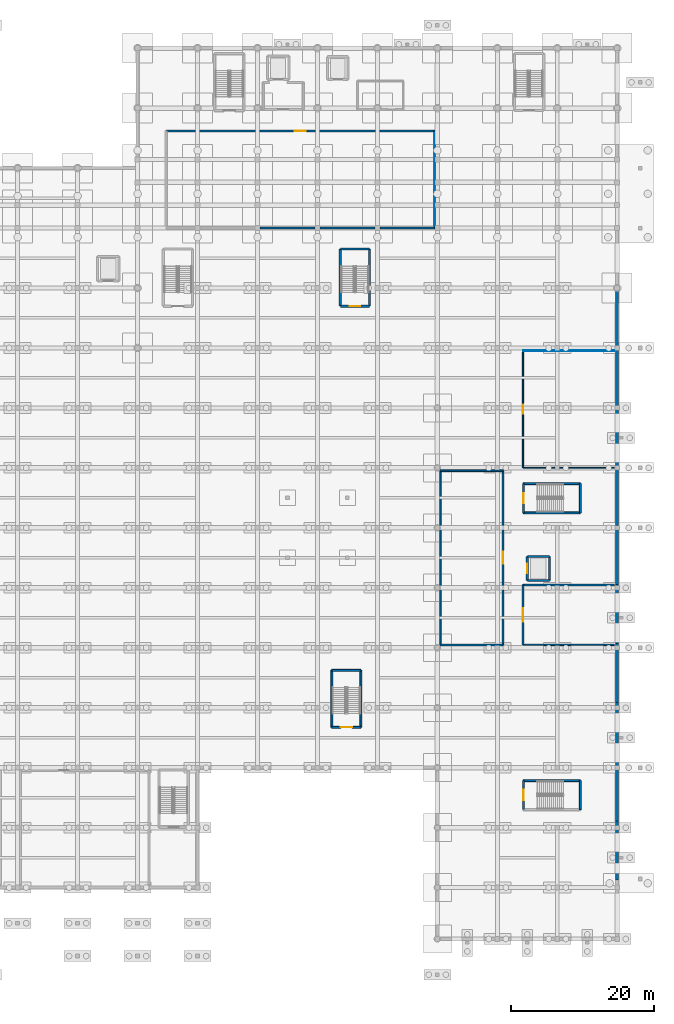
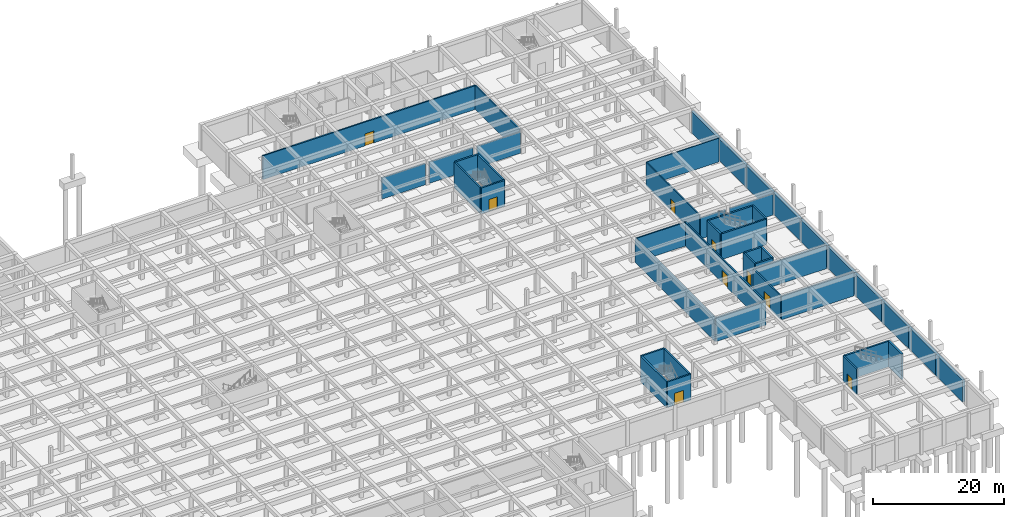
# One storey, part 29 of 51: 45 walls, 9 doors, 9 openings.
"""IFC4 building model written with IfcOpenShell, lengths in metres."""

from ifc_helpers import new_model, si_unit, direction, frame, frame_2d, origin, place, context, subcontext, project, spatial, rectangle, extrude, material, layer, layer_set, type_object, element, fill, save


model = new_model("IFC4")

# Units and contexts
model_context = context("Model", 3, precision=1e-05, world=origin(), true_north=direction((0.0, 1.0)))
body_context = subcontext(model_context, "Body", "Model", "MODEL_VIEW")
ifc_project = project(units=[si_unit("LENGTHUNIT", "METRE"), si_unit("AREAUNIT", "SQUARE_METRE"), si_unit("VOLUMEUNIT", "CUBIC_METRE"), si_unit("PLANEANGLEUNIT", "RADIAN"), si_unit("MASSUNIT", "GRAM", prefix="KILO")], contexts=[model_context])

# Site, building, storey
site_placement = place(None, origin())
site = spatial("IfcSite", under=ifc_project, at=site_placement, CompositionType="ELEMENT")
building_placement = place(site_placement, origin())
building = spatial("IfcBuilding", under=site, at=building_placement, Name="Varncliffe General Hospital", CompositionType="ELEMENT")
storey_placement = place(building_placement, frame((0.0, 0.0, -4.800048828125)))
storey = spatial("IfcBuildingStorey", under=building, at=storey_placement, Name="B1", CompositionType="ELEMENT", Elevation=-4.800048828125)

# Walls
ifc_material_1 = material(Name="Concrete C40/50 (CSA A23.1 40 MPa)", Category="concrete")
ifc_layer_1 = layer(ifc_material_1, 0.419921875)
ifc_layer_set_1 = layer_set([ifc_layer_1], Name="Concrete C40/50 (CSA A23.1 40 MPa)")
wall_type_1 = type_object("IfcWallType", Name="Exterior Insulated Stucco Wall EW28 (420mm)", PredefinedType="SOLIDWALL", material=ifc_layer_set_1)
wall_1_placement = place(storey_placement, frame((176.39990234375, 91.199951171875, 0.0), z_axis=(0.0, 0.0, 1.0), x_axis=(0.0, -1.0, 0.0)))
element("IfcWall", 1, at=wall_1_placement, inside=storey, type_object=wall_type_1, Name="B1 Perimeter Retaining Wall 40", PredefinedType="SOLIDWALL", context=body_context, shape_type="SweptSolid", body=[
    extrude(rectangle(XDim=8.39990234375, YDim=0.419921875, at=frame_2d((4.199951171875, 0.0))), origin(), (0.0, 0.0, 1.0), 4.050048828125),
])
for number, where, z_axis, x_axis, name in (
    (2, (176.39990234375, 82.800048828125, 0.0), (0.0, 0.0, 1.0), (0.0, -1.0, 0.0), "B1 Perimeter Retaining Wall 41"),
    (3, (176.39990234375, 74.52001953125, 0.0), (0.0, 0.0, 1.0), (0.0, -1.0, 0.0), "B1 Perimeter Retaining Wall 42"),
    (4, (176.39990234375, 66.239990234375, 0.0), (0.0, 0.0, 1.0), (0.0, -1.0, 0.0), "B1 Perimeter Retaining Wall 43"),
    (5, (176.39990234375, 57.9599609375, 0.0), (0.0, 0.0, 1.0), (0.0, -1.0, 0.0), "B1 Perimeter Retaining Wall 44"),
    (6, (176.39990234375, 49.679931640625, 0.0), (0.0, 0.0, 1.0), (0.0, -1.0, 0.0), "B1 Perimeter Retaining Wall 45"),
):
    element("IfcWall", number, at=place(storey_placement, frame(where, z_axis=z_axis, x_axis=x_axis)), inside=storey, type_object=wall_type_1, Name=name, PredefinedType="SOLIDWALL", context=body_context, shape_type="SweptSolid", body=[
        extrude(rectangle(XDim=8.280029296875, YDim=0.419921875, at=frame_2d((4.14013671875, 0.0))), origin(), (0.0, 0.0, 1.0), 4.050048828125),
    ])
wall_2_placement = place(storey_placement, frame((176.39990234375, 41.39990234375, 0.0), z_axis=(0.0, 0.0, 1.0), x_axis=(0.0, -1.0, 0.0)))
element("IfcWall", 7, at=wall_2_placement, inside=storey, type_object=wall_type_1, Name="B1 Perimeter Retaining Wall 46", PredefinedType="SOLIDWALL", context=body_context, shape_type="SweptSolid", body=[
    extrude(rectangle(XDim=8.27978515625, YDim=0.419921875, at=frame_2d((4.139892578125, 0.0))), origin(), (0.0, 0.0, 1.0), 4.050048828125),
])
for number, where, z_axis, x_axis, name in (
    (8, (176.39990234375, 33.1201171875, 0.0), (0.0, 0.0, 1.0), (0.0, -1.0, 0.0), "B1 Perimeter Retaining Wall 47"),
    (9, (176.39990234375, 24.840087890625, 0.0), (0.0, 0.0, 1.0), (0.0, -1.0, 0.0), "B1 Perimeter Retaining Wall 48"),
    (10, (176.39990234375, 16.56005859375, 0.0), (0.0, 0.0, 1.0), (0.0, -1.0, 0.0), "B1 Perimeter Retaining Wall 49"),
):
    element("IfcWall", number, at=place(storey_placement, frame(where, z_axis=z_axis, x_axis=x_axis)), inside=storey, type_object=wall_type_1, Name=name, PredefinedType="SOLIDWALL", context=body_context, shape_type="SweptSolid", body=[
        extrude(rectangle(XDim=8.280029296875, YDim=0.419921875, at=frame_2d((4.14013671875, 0.0))), origin(), (0.0, 0.0, 1.0), 4.050048828125),
    ])
ifc_material_2 = material(Name="Acoustic clinical gypsum stud partition assembly", Category="gypsum")
ifc_layer_2 = layer(ifc_material_2, 0.1298828125)
ifc_layer_set_2 = layer_set([ifc_layer_2], Name="Acoustic clinical gypsum stud partition assembly")
wall_type_2 = type_object("IfcWallType", Name="Interior Partitioning IW11 (130mm)", PredefinedType="PARTITIONING", material=ifc_layer_set_2)
wall_3_placement = place(storey_placement, frame((163.199951171875, 82.39990234375, 0.0), z_axis=(0.0, 0.0, 1.0), x_axis=(1.0, 0.0, 0.0)))
element("IfcWall", 11, at=wall_3_placement, inside=storey, type_object=wall_type_2, Name="B1 Interior Partition Wall IW11-13", PredefinedType="PARTITIONING", context=body_context, shape_type="SweptSolid", body=[
    extrude(rectangle(XDim=12.800048828125, YDim=0.1298828125, at=frame_2d((6.39990234375, 0.0))), origin(), (0.0, 0.0, 1.0), 4.43994140625),
])
ifc_layer_3 = layer(ifc_material_2, 0.14990234375)
ifc_layer_set_3 = layer_set([ifc_layer_3], Name="Acoustic clinical gypsum stud partition assembly")
wall_type_3 = type_object("IfcWallType", Name="Interior Partitioning IW35 (150mm)", PredefinedType="PARTITIONING", material=ifc_layer_set_3)
wall_4_placement = place(storey_placement, frame((168.340087890625, 66.0, 0.0), z_axis=(0.0, 0.0, 1.0), x_axis=(1.0, 0.0, 0.0)))
element("IfcWall", 12, at=wall_4_placement, inside=storey, type_object=wall_type_3, Name="B1 Interior Partition Wall IW35-9", PredefinedType="PARTITIONING", context=body_context, shape_type="SweptSolid", body=[
    extrude(rectangle(XDim=7.659912109375, YDim=0.14990234375, at=frame_2d((3.830078125, 0.0))), origin(), (0.0, 0.0, 1.0), 3.985107421875),
])
wall_5_placement = place(storey_placement, frame((163.199951171875, 66.0, 0.0), z_axis=(0.0, 0.0, 1.0), x_axis=(1.0, 0.0, 0.0)))
element("IfcWall", 13, at=wall_5_placement, inside=storey, type_object=wall_type_3, Name="B1 Interior Partition Wall IW35-10", PredefinedType="PARTITIONING", context=body_context, shape_type="SweptSolid", body=[
    extrude(rectangle(XDim=4.4599609375, YDim=0.14990234375, at=frame_2d((2.22998046875, 0.0))), origin(), (0.0, 0.0, 1.0), 3.985107421875),
])
ifc_material_3 = material(Name="Fire-rated gypsum and mineral-wool partition assembly", Category="gypsum")
ifc_layer_4 = layer(ifc_material_3, 0.25)
ifc_layer_set_4 = layer_set([ifc_layer_4], Name="Fire-rated gypsum and mineral-wool partition assembly")
wall_type_4 = type_object("IfcWallType", Name="Interior Partitioning PW38 (250mm)", PredefinedType="PARTITIONING", material=ifc_layer_set_4)
wall_6_placement = place(storey_placement, frame((151.60009765625, 41.199951171875, 0.0), z_axis=(0.0, 0.0, 1.0), x_axis=(1.0, 0.0, 0.0)))
element("IfcWall", 14, at=wall_6_placement, inside=storey, type_object=wall_type_4, Name="B1 Interior Partition Wall PW38-5", PredefinedType="PARTITIONING", context=body_context, shape_type="SweptSolid", body=[
    extrude(rectangle(XDim=8.7998046875, YDim=0.25, at=frame_2d((4.39990234375, 0.0))), origin(), (0.0, 0.0, 1.0), 4.43994140625),
])
wall_7_placement = place(storey_placement, frame((163.199951171875, 49.60009765625, 0.0), z_axis=(0.0, 0.0, 1.0), x_axis=(1.0, 0.0, 0.0)))
element("IfcWall", 15, at=wall_7_placement, inside=storey, type_object=wall_type_4, Name="B1 Interior Partition Wall PW38-7", PredefinedType="PARTITIONING", context=body_context, shape_type="SweptSolid", body=[
    extrude(rectangle(XDim=12.800048828125, YDim=0.25, at=frame_2d((6.39990234375, 0.0))), origin(), (0.0, 0.0, 1.0), 4.43994140625),
])

# Wall, opening, door
wall_8_placement = place(storey_placement, frame((113.199951171875, 113.199951171875, 0.0), z_axis=(0.0, 0.0, 1.0), x_axis=(1.0, 0.0, 0.0)))
wall_8 = element("IfcWall", 16, at=wall_8_placement, inside=storey, type_object=wall_type_4, Name="B1 Interior Partition Wall PW38-29", PredefinedType="PARTITIONING", context=body_context, shape_type="SweptSolid", body=[
    extrude(rectangle(XDim=37.60009765625, YDim=0.25, at=frame_2d((18.800048828125, 0.0))), origin(), (0.0, 0.0, 1.0), 4.43994140625),
])
opening_1_placement = place(wall_8_placement, frame((18.02490234375, 0.0, 0.0)))
opening_1 = element("IfcOpeningElement", 17, at=opening_1_placement, cuts=wall_8, Name="Opening DC67", PredefinedType="OPENING", context=body_context, shape_type="SweptSolid", body=[
    extrude(rectangle(XDim=1.550048828125, YDim=2.25, at=frame_2d((0.77490234375, 1.125))), frame((0.0, 0.135009765625, 0.0), z_axis=(0.0, -1.0, 0.0), x_axis=(1.0, 0.0, 0.0)), (0.0, 0.0, 1.0), 0.27001953125),
])
ifc_material_4 = material(Name="Fire-rated hospital steel-frame vision-panel door", Category="steel")
door_type_1 = type_object("IfcDoorType", Name="Interior Hospital Door DC67 (1550x2250)", OperationType="NOTDEFINED", PredefinedType="DOOR", material=ifc_material_4)
door_1_placement = place(opening_1_placement, frame((1.550048828125, 0.0, 0.0), z_axis=(0.0, 0.0, 1.0), x_axis=(-1.0, 0.0, 0.0)))
door_1 = element("IfcDoor", 18, at=door_1_placement, inside=storey, type_object=door_type_1, Name="B1 Ward Soiled Utility and Sterile Store East Door", OperationType="SINGLE_SWING_RIGHT", OverallHeight=2.25, OverallWidth=1.550048828125, PredefinedType="DOOR", context=body_context, shape_type="SweptSolid", body=[
    extrude(rectangle(XDim=1.550048828125, YDim=2.25, at=frame_2d((0.77490234375, 1.125))), frame((0.0, 0.02490234375, 0.0), z_axis=(0.0, -1.0, 0.0), x_axis=(1.0, 0.0, 0.0)), (0.0, 0.0, 1.0), 0.050048828125),
])
fill(opening_1, door_1)

# Wall
wall_9_placement = place(storey_placement, frame((151.60009765625, 41.199951171875, 0.0), z_axis=(0.0, 0.0, 1.0), x_axis=(0.0, 1.0, 0.0)))
element("IfcWall", 19, at=wall_9_placement, inside=storey, type_object=wall_type_4, Name="B1 Interior Partition Wall PW38-65", PredefinedType="PARTITIONING", context=body_context, shape_type="SweptSolid", body=[
    extrude(rectangle(XDim=24.400146484375, YDim=0.25, at=frame_2d((12.2001953125, 0.0))), origin(), (0.0, 0.0, 1.0), 4.43994140625),
])

# Wall, opening, door
wall_10_placement = place(storey_placement, frame((163.199951171875, 41.199951171875, 0.0), z_axis=(0.0, 0.0, 1.0), x_axis=(0.0, 1.0, 0.0)))
wall_10 = element("IfcWall", 20, at=wall_10_placement, inside=storey, type_object=wall_type_4, Name="B1 Interior Partition Wall PW38-67", PredefinedType="PARTITIONING", context=body_context, shape_type="SweptSolid", body=[
    extrude(rectangle(XDim=8.400146484375, YDim=0.25, at=frame_2d((4.2001953125, 0.0))), origin(), (0.0, 0.0, 1.0), 4.43994140625),
])
opening_2_placement = place(wall_10_placement, frame((3.27490234375, 0.0, 0.0)))
opening_2 = element("IfcOpeningElement", 21, at=opening_2_placement, cuts=wall_10, Name="Opening DC38", PredefinedType="OPENING", context=body_context, shape_type="SweptSolid", body=[
    extrude(rectangle(XDim=1.85009765625, YDim=2.300048828125, at=frame_2d((0.925048828125, 1.14990234375))), frame((0.0, 0.135009765625, 0.0), z_axis=(0.0, -1.0, 0.0), x_axis=(1.0, 0.0, 0.0)), (0.0, 0.0, 1.0), 0.27001953125),
])
door_type_2 = type_object("IfcDoorType", Name="Interior Hospital Door DC38 (1850x2300)", OperationType="NOTDEFINED", PredefinedType="DOOR", material=ifc_material_4)
door_2_placement = place(opening_2_placement, frame((1.85009765625, 0.0, 0.0), z_axis=(0.0, 0.0, 1.0), x_axis=(-1.0, 0.0, 0.0)))
door_2 = element("IfcDoor", 22, at=door_2_placement, inside=storey, type_object=door_type_2, Name="B1 Outpatient Electrical Substation Door", OperationType="SINGLE_SWING_LEFT", OverallHeight=2.300048828125, OverallWidth=1.85009765625, PredefinedType="DOOR", context=body_context, shape_type="SweptSolid", body=[
    extrude(rectangle(XDim=1.85009765625, YDim=2.300048828125, at=frame_2d((0.925048828125, 1.14990234375))), frame((0.0, 0.02490234375, 0.0), z_axis=(0.0, -1.0, 0.0), x_axis=(1.0, 0.0, 0.0)), (0.0, 0.0, 1.0), 0.050048828125),
])
fill(opening_2, door_2)

# Walls
ifc_layer_5 = layer(ifc_material_3, 0.22998046875)
ifc_layer_set_5 = layer_set([ifc_layer_5], Name="Fire-rated gypsum and mineral-wool partition assembly")
wall_type_5 = type_object("IfcWallType", Name="Interior Partitioning PW48 (230mm)", PredefinedType="PARTITIONING", material=ifc_layer_set_5)
wall_11_placement = place(storey_placement, frame((163.199951171875, 41.199951171875, 0.0), z_axis=(0.0, 0.0, 1.0), x_axis=(1.0, 0.0, 0.0)))
element("IfcWall", 23, at=wall_11_placement, inside=storey, type_object=wall_type_5, Name="B1 Interior Partition Wall PW48-6", PredefinedType="PARTITIONING", context=body_context, shape_type="SweptSolid", body=[
    extrude(rectangle(XDim=12.800048828125, YDim=0.22998046875, at=frame_2d((6.39990234375, 0.0))), origin(), (0.0, 0.0, 1.0), 4.43994140625),
])
wall_12_placement = place(storey_placement, frame((151.60009765625, 65.60009765625, 0.0), z_axis=(0.0, 0.0, 1.0), x_axis=(1.0, 0.0, 0.0)))
element("IfcWall", 24, at=wall_12_placement, inside=storey, type_object=wall_type_5, Name="B1 Interior Partition Wall PW48-8", PredefinedType="PARTITIONING", context=body_context, shape_type="SweptSolid", body=[
    extrude(rectangle(XDim=8.7998046875, YDim=0.22998046875, at=frame_2d((4.39990234375, 0.0))), origin(), (0.0, 0.0, 1.0), 4.43994140625),
])
wall_13_placement = place(storey_placement, frame((126.364990234375, 99.60009765625, 0.0), z_axis=(0.0, 0.0, 1.0), x_axis=(1.0, 0.0, 0.0)))
element("IfcWall", 25, at=wall_13_placement, inside=storey, type_object=wall_type_5, Name="B1 Interior Partition Wall PW48-22", PredefinedType="PARTITIONING", context=body_context, shape_type="SweptSolid", body=[
    extrude(rectangle(XDim=7.669921875, YDim=0.22998046875, at=frame_2d((3.8349609375, 0.0))), origin(), (0.0, 0.0, 1.0), 3.985107421875),
])
wall_14_placement = place(storey_placement, frame((134.764892578125, 99.60009765625, 0.0), z_axis=(0.0, 0.0, 1.0), x_axis=(1.0, 0.0, 0.0)))
element("IfcWall", 26, at=wall_14_placement, inside=storey, type_object=wall_type_5, Name="B1 Interior Partition Wall PW48-23", PredefinedType="PARTITIONING", context=body_context, shape_type="SweptSolid", body=[
    extrude(rectangle(XDim=7.670166015625, YDim=0.22998046875, at=frame_2d((3.8349609375, 0.0))), origin(), (0.0, 0.0, 1.0), 3.985107421875),
])
wall_15_placement = place(storey_placement, frame((143.1650390625, 99.60009765625, 0.0), z_axis=(0.0, 0.0, 1.0), x_axis=(1.0, 0.0, 0.0)))
element("IfcWall", 27, at=wall_15_placement, inside=storey, type_object=wall_type_5, Name="B1 Interior Partition Wall PW48-25", PredefinedType="PARTITIONING", context=body_context, shape_type="SweptSolid", body=[
    extrude(rectangle(XDim=7.635009765625, YDim=0.22998046875, at=frame_2d((3.8173828125, 0.0))), origin(), (0.0, 0.0, 1.0), 3.985107421875),
])
wall_16_placement = place(storey_placement, frame((150.800048828125, 99.60009765625, 0.0), z_axis=(0.0, 0.0, 1.0), x_axis=(0.0, 1.0, 0.0)))
element("IfcWall", 28, at=wall_16_placement, inside=storey, type_object=wall_type_5, Name="B1 Interior Partition Wall PW48-64", PredefinedType="PARTITIONING", context=body_context, shape_type="SweptSolid", body=[
    extrude(rectangle(XDim=13.599853515625, YDim=0.22998046875, at=frame_2d((6.7998046875, 0.0))), origin(), (0.0, 0.0, 1.0), 4.43994140625),
])

# Wall, opening, door
wall_17_placement = place(storey_placement, frame((160.39990234375, 41.199951171875, 0.0), z_axis=(0.0, 0.0, 1.0), x_axis=(0.0, 1.0, 0.0)))
wall_17 = element("IfcWall", 29, at=wall_17_placement, inside=storey, type_object=wall_type_5, Name="B1 Interior Partition Wall PW48-66", PredefinedType="PARTITIONING", context=body_context, shape_type="SweptSolid", body=[
    extrude(rectangle(XDim=24.400146484375, YDim=0.22998046875, at=frame_2d((12.2001953125, 0.0))), origin(), (0.0, 0.0, 1.0), 4.43994140625),
])
opening_3_placement = place(wall_17_placement, frame((11.35009765625, 0.0, 0.0)))
opening_3 = element("IfcOpeningElement", 30, at=opening_3_placement, cuts=wall_17, Name="Opening DC50", PredefinedType="OPENING", context=body_context, shape_type="SweptSolid", body=[
    extrude(rectangle(XDim=1.699951171875, YDim=2.300048828125, at=frame_2d((0.85009765625, 1.14990234375))), frame((0.0, 0.125, 0.0), z_axis=(0.0, -1.0, 0.0), x_axis=(1.0, 0.0, 0.0)), (0.0, 0.0, 1.0), 0.25),
])
door_type_3 = type_object("IfcDoorType", Name="Interior Hospital Door DC50 (1700x2300)", OperationType="NOTDEFINED", PredefinedType="DOOR", material=ifc_material_4)
door_3_placement = place(opening_3_placement, origin())
door_3 = element("IfcDoor", 31, at=door_3_placement, inside=storey, type_object=door_type_3, Name="B1 Inpatient Bulk Pharmacy Stockroom Door", OperationType="SINGLE_SWING_RIGHT", OverallHeight=2.300048828125, OverallWidth=1.699951171875, PredefinedType="DOOR", context=body_context, shape_type="SweptSolid", body=[
    extrude(rectangle(XDim=1.699951171875, YDim=2.300048828125, at=frame_2d((0.85009765625, 1.14990234375))), frame((0.0, 0.02490234375, 0.0), z_axis=(0.0, -1.0, 0.0), x_axis=(1.0, 0.0, 0.0)), (0.0, 0.0, 1.0), 0.050048828125),
])
fill(opening_3, door_3)

ifc_layer_6 = layer(ifc_material_3, 0.199951171875)
ifc_layer_set_6 = layer_set([ifc_layer_6], Name="Fire-rated gypsum and mineral-wool partition assembly")
wall_type_6 = type_object("IfcWallType", Name="Interior Partitioning PW63 (200mm)", PredefinedType="PARTITIONING", material=ifc_layer_set_6)
wall_18_placement = place(storey_placement, frame((163.199951171875, 66.0, 0.0), z_axis=(0.0, 0.0, 1.0), x_axis=(0.0, 1.0, 0.0)))
wall_18 = element("IfcWall", 32, at=wall_18_placement, inside=storey, type_object=wall_type_6, Name="B1 Interior Partition Wall PW63-68", PredefinedType="PARTITIONING", context=body_context, shape_type="SweptSolid", body=[
    extrude(rectangle(XDim=16.39990234375, YDim=0.199951171875, at=frame_2d((8.199951171875, 0.0))), origin(), (0.0, 0.0, 1.0), 4.43994140625),
])
opening_4_placement = place(wall_18_placement, frame((7.574951171875, 0.0, 0.0)))
opening_4 = element("IfcOpeningElement", 33, at=opening_4_placement, cuts=wall_18, Name="Opening DC44", PredefinedType="OPENING", context=body_context, shape_type="SweptSolid", body=[
    extrude(rectangle(XDim=1.25, YDim=2.14990234375, at=frame_2d((0.625, 1.074951171875))), frame((0.0, 0.10986328125, 0.0), z_axis=(0.0, -1.0, 0.0), x_axis=(1.0, 0.0, 0.0)), (0.0, 0.0, 1.0), 0.219970703125),
])
door_type_4 = type_object("IfcDoorType", Name="Interior Hospital Door DC44 (1250x2150)", OperationType="NOTDEFINED", PredefinedType="DOOR", material=ifc_material_4)
door_4_placement = place(opening_4_placement, frame((1.25, 0.0, 0.0), z_axis=(0.0, 0.0, 1.0), x_axis=(-1.0, 0.0, 0.0)))
door_4 = element("IfcDoor", 34, at=door_4_placement, inside=storey, type_object=door_type_4, Name="B1 Medical Archives and Compact Shelving Vault Door", OperationType="SINGLE_SWING_RIGHT", OverallHeight=2.14990234375, OverallWidth=1.25, PredefinedType="DOOR", context=body_context, shape_type="SweptSolid", body=[
    extrude(rectangle(XDim=1.25, YDim=2.14990234375, at=frame_2d((0.625, 1.074951171875))), frame((0.0, 0.02490234375, 0.0), z_axis=(0.0, -1.0, 0.0), x_axis=(1.0, 0.0, 0.0)), (0.0, 0.0, 1.0), 0.050048828125),
])
fill(opening_4, door_4)

# Walls
ifc_layer_7 = layer(ifc_material_1, 0.300048828125)
ifc_layer_set_7 = layer_set([ifc_layer_7], Name="Concrete C40/50 (CSA A23.1 40 MPa)")
wall_type_7 = type_object("IfcWallType", Name="Reinforced Concrete Core Shear Wall CW12 (300mm)", PredefinedType="SHEAR", material=ifc_layer_set_7)
wall_19_placement = place(storey_placement, frame((141.699951171875, 88.64990234375, 0.0), z_axis=(0.0, 0.0, 1.0), x_axis=(0.0, 1.0, 0.0)))
element("IfcWall", 35, at=wall_19_placement, inside=storey, type_object=wall_type_7, Name="B1 ST14 Core Shear Wall L", PredefinedType="SHEAR", context=body_context, shape_type="SweptSolid", body=[
    extrude(rectangle(XDim=8.0, YDim=0.300048828125, at=frame_2d((4.0, 0.0))), origin(), (0.0, 0.0, 1.0), 4.800048828125),
])
wall_20_placement = place(storey_placement, frame((141.699951171875, 96.64990234375, 0.0), z_axis=(0.0, 0.0, 1.0), x_axis=(-1.0, 0.0, 0.0)))
element("IfcWall", 36, at=wall_20_placement, inside=storey, type_object=wall_type_7, Name="B1 ST14 Core Shear Wall F", PredefinedType="SHEAR", context=body_context, shape_type="SweptSolid", body=[
    extrude(rectangle(XDim=4.099853515625, YDim=0.300048828125, at=frame_2d((2.0498046875, 0.0))), origin(), (0.0, 0.0, 1.0), 4.800048828125),
])
wall_21_placement = place(storey_placement, frame((137.60009765625, 96.64990234375, 0.0), z_axis=(0.0, 0.0, 1.0), x_axis=(0.0, -1.0, 0.0)))
element("IfcWall", 37, at=wall_21_placement, inside=storey, type_object=wall_type_7, Name="B1 ST14 Core Shear Wall R", PredefinedType="SHEAR", context=body_context, shape_type="SweptSolid", body=[
    extrude(rectangle(XDim=8.0, YDim=0.300048828125, at=frame_2d((4.0, 0.0))), origin(), (0.0, 0.0, 1.0), 4.800048828125),
])

# Wall, opening, door
wall_22_placement = place(storey_placement, frame((137.60009765625, 88.64990234375, 0.0), z_axis=(0.0, 0.0, 1.0), x_axis=(1.0, 0.0, 0.0)))
wall_22 = element("IfcWall", 38, at=wall_22_placement, inside=storey, type_object=wall_type_7, Name="B1 ST14 Core Shear Wall N", PredefinedType="SHEAR", context=body_context, shape_type="SweptSolid", body=[
    extrude(rectangle(XDim=4.099853515625, YDim=0.300048828125, at=frame_2d((2.0498046875, 0.0))), origin(), (0.0, 0.0, 1.0), 4.800048828125),
])
opening_5_placement = place(wall_22_placement, frame((1.300048828125, 0.0, 0.0)))
opening_5 = element("IfcOpeningElement", 39, at=opening_5_placement, cuts=wall_22, Name="Opening DF28", PredefinedType="OPENING", context=body_context, shape_type="SweptSolid", body=[
    extrude(rectangle(XDim=1.5, YDim=2.199951171875, at=frame_2d((0.75, 1.10009765625))), frame((0.0, 0.16015625, 0.0), z_axis=(0.0, -1.0, 0.0), x_axis=(1.0, 0.0, 0.0)), (0.0, 0.0, 1.0), 0.320068359375),
])
door_type_5 = type_object("IfcDoorType", Name="Interior Hospital Door DF28 (1500x2200)", OperationType="NOTDEFINED", PredefinedType="DOOR", material=ifc_material_4)
door_5_placement = place(opening_5_placement, frame((1.5, 0.0, 0.0), z_axis=(0.0, 0.0, 1.0), x_axis=(-1.0, 0.0, 0.0)))
door_5 = element("IfcDoor", 40, at=door_5_placement, inside=storey, type_object=door_type_5, Name="B1 ST14 Protected Exit Stair Door", OperationType="SINGLE_SWING_RIGHT", OverallHeight=2.199951171875, OverallWidth=1.5, PredefinedType="DOOR", context=body_context, shape_type="SweptSolid", body=[
    extrude(rectangle(XDim=1.5, YDim=2.199951171875, at=frame_2d((0.75, 1.10009765625))), frame((0.0, 0.02490234375, 0.0), z_axis=(0.0, -1.0, 0.0), x_axis=(1.0, 0.0, 0.0)), (0.0, 0.0, 1.0), 0.050048828125),
])
fill(opening_5, door_5)

# Walls
wall_23_placement = place(storey_placement, frame((163.800048828125, 50.199951171875, 0.0), z_axis=(0.0, 0.0, 1.0), x_axis=(1.0, 0.0, 0.0)))
element("IfcWall", 41, at=wall_23_placement, inside=storey, type_object=wall_type_7, Name="B1 LF08 Elevator Shaft Wall South", PredefinedType="SHEAR", context=body_context, shape_type="SweptSolid", body=[
    extrude(rectangle(XDim=3.099853515625, YDim=0.300048828125, at=frame_2d((1.5498046875, 0.0))), origin(), (0.0, 0.0, 1.0), 4.800048828125),
])
wall_24_placement = place(storey_placement, frame((166.89990234375, 50.199951171875, 0.0), z_axis=(0.0, 0.0, 1.0), x_axis=(0.0, 1.0, 0.0)))
element("IfcWall", 42, at=wall_24_placement, inside=storey, type_object=wall_type_7, Name="B1 LF08 Elevator Shaft Wall East", PredefinedType="SHEAR", context=body_context, shape_type="SweptSolid", body=[
    extrude(rectangle(XDim=3.400146484375, YDim=0.300048828125, at=frame_2d((1.7001953125, 0.0))), origin(), (0.0, 0.0, 1.0), 4.800048828125),
])
wall_25_placement = place(storey_placement, frame((166.89990234375, 53.60009765625, 0.0), z_axis=(0.0, 0.0, 1.0), x_axis=(-1.0, 0.0, 0.0)))
element("IfcWall", 43, at=wall_25_placement, inside=storey, type_object=wall_type_7, Name="B1 LF08 Elevator Shaft Wall North", PredefinedType="SHEAR", context=body_context, shape_type="SweptSolid", body=[
    extrude(rectangle(XDim=3.099853515625, YDim=0.300048828125, at=frame_2d((1.5498046875, 0.0))), origin(), (0.0, 0.0, 1.0), 4.800048828125),
])

# Wall, opening, door
wall_26_placement = place(storey_placement, frame((163.800048828125, 53.60009765625, 0.0), z_axis=(0.0, 0.0, 1.0), x_axis=(0.0, -1.0, 0.0)))
wall_26 = element("IfcWall", 44, at=wall_26_placement, inside=storey, type_object=wall_type_7, Name="B1 LF08 Elevator Shaft Wall West", PredefinedType="SHEAR", context=body_context, shape_type="SweptSolid", body=[
    extrude(rectangle(XDim=3.400146484375, YDim=0.300048828125, at=frame_2d((1.7001953125, 0.0))), origin(), (0.0, 0.0, 1.0), 4.800048828125),
])
opening_6_placement = place(wall_26_placement, frame((1.050048828125, 0.0, 0.0)))
opening_6 = element("IfcOpeningElement", 45, at=opening_6_placement, cuts=wall_26, Name="Opening LD02", PredefinedType="OPENING", context=body_context, shape_type="SweptSolid", body=[
    extrude(rectangle(XDim=1.300048828125, YDim=2.199951171875, at=frame_2d((0.64990234375, 1.10009765625))), frame((0.0, 0.16015625, 0.0), z_axis=(0.0, -1.0, 0.0), x_axis=(1.0, 0.0, 0.0)), (0.0, 0.0, 1.0), 0.320068359375),
])
ifc_material_5 = material(Name="Brushed stainless-steel sliding elevator landing door", Category="steel")
door_type_6 = type_object("IfcDoorType", Name="Lift Landing Door LD02 (1300x2200)", OperationType="DOUBLE_DOOR_SLIDING", PredefinedType="DOOR", material=ifc_material_5)
door_6_placement = place(opening_6_placement, origin())
door_6 = element("IfcDoor", 46, at=door_6_placement, inside=storey, type_object=door_type_6, Name="Lift Landing Door LF08 B1", OperationType="DOUBLE_DOOR_SLIDING", OverallHeight=2.199951171875, OverallWidth=1.300048828125, PredefinedType="DOOR", context=body_context, shape_type="SweptSolid", body=[
    extrude(rectangle(XDim=1.300048828125, YDim=2.199951171875, at=frame_2d((0.64990234375, 1.10009765625))), frame((0.0, 0.02490234375, 0.0), z_axis=(0.0, -1.0, 0.0), x_axis=(1.0, 0.0, 0.0)), (0.0, 0.0, 1.0), 0.050048828125),
])
fill(opening_6, door_6)

# Walls
ifc_layer_8 = layer(ifc_material_1, 0.280029296875)
ifc_layer_set_8 = layer_set([ifc_layer_8], Name="Concrete C40/50 (CSA A23.1 40 MPa)")
wall_type_8 = type_object("IfcWallType", Name="Reinforced Concrete Core Shear Wall CW13 (280mm)", PredefinedType="SHEAR", material=ifc_layer_set_8)
wall_27_placement = place(storey_placement, frame((163.260009765625, 59.7099609375, 0.0), z_axis=(0.0, 0.0, 1.0), x_axis=(1.0, 0.0, 0.0)))
element("IfcWall", 47, at=wall_27_placement, inside=storey, type_object=wall_type_8, Name="B1 ST07 Core Shear Wall L", PredefinedType="SHEAR", context=body_context, shape_type="SweptSolid", body=[
    extrude(rectangle(XDim=7.97998046875, YDim=0.280029296875, at=frame_2d((3.989990234375, 0.0))), origin(), (0.0, 0.0, 1.0), 4.800048828125),
])
wall_28_placement = place(storey_placement, frame((171.239990234375, 59.7099609375, 0.0), z_axis=(0.0, 0.0, 1.0), x_axis=(0.0, 1.0, 0.0)))
element("IfcWall", 48, at=wall_28_placement, inside=storey, type_object=wall_type_8, Name="B1 ST07 Core Shear Wall F", PredefinedType="SHEAR", context=body_context, shape_type="SweptSolid", body=[
    extrude(rectangle(XDim=4.080078125, YDim=0.280029296875, at=frame_2d((2.0400390625, 0.0))), origin(), (0.0, 0.0, 1.0), 4.800048828125),
])
wall_29_placement = place(storey_placement, frame((171.239990234375, 63.7900390625, 0.0), z_axis=(0.0, 0.0, 1.0), x_axis=(-1.0, 0.0, 0.0)))
element("IfcWall", 49, at=wall_29_placement, inside=storey, type_object=wall_type_8, Name="B1 ST07 Core Shear Wall R", PredefinedType="SHEAR", context=body_context, shape_type="SweptSolid", body=[
    extrude(rectangle(XDim=7.97998046875, YDim=0.280029296875, at=frame_2d((3.989990234375, 0.0))), origin(), (0.0, 0.0, 1.0), 4.800048828125),
])

# Wall, opening, door
wall_30_placement = place(storey_placement, frame((163.260009765625, 63.7900390625, 0.0), z_axis=(0.0, 0.0, 1.0), x_axis=(0.0, -1.0, 0.0)))
wall_30 = element("IfcWall", 50, at=wall_30_placement, inside=storey, type_object=wall_type_8, Name="B1 ST07 Core Shear Wall N", PredefinedType="SHEAR", context=body_context, shape_type="SweptSolid", body=[
    extrude(rectangle(XDim=4.080078125, YDim=0.280029296875, at=frame_2d((2.0400390625, 0.0))), origin(), (0.0, 0.0, 1.0), 4.800048828125),
])
opening_7_placement = place(wall_30_placement, frame((1.340087890625, 0.0, 0.0)))
opening_7 = element("IfcOpeningElement", 51, at=opening_7_placement, cuts=wall_30, Name="Opening DF81", PredefinedType="OPENING", context=body_context, shape_type="SweptSolid", body=[
    extrude(rectangle(XDim=1.39990234375, YDim=2.199951171875, at=frame_2d((0.699951171875, 1.10009765625))), frame((0.0, 0.14990234375, 0.0), z_axis=(0.0, -1.0, 0.0), x_axis=(1.0, 0.0, 0.0)), (0.0, 0.0, 1.0), 0.300048828125),
])
door_type_7 = type_object("IfcDoorType", Name="Interior Hospital Door DF81 (1400x2200)", OperationType="NOTDEFINED", PredefinedType="DOOR", material=ifc_material_4)
door_7_placement = place(opening_7_placement, frame((1.39990234375, 0.0, 0.0), z_axis=(0.0, 0.0, 1.0), x_axis=(-1.0, 0.0, 0.0)))
door_7 = element("IfcDoor", 52, at=door_7_placement, inside=storey, type_object=door_type_7, Name="B1 ST07 Protected Exit Stair Door", OperationType="SINGLE_SWING_LEFT", OverallHeight=2.199951171875, OverallWidth=1.39990234375, PredefinedType="DOOR", context=body_context, shape_type="SweptSolid", body=[
    extrude(rectangle(XDim=1.39990234375, YDim=2.199951171875, at=frame_2d((0.699951171875, 1.10009765625))), frame((0.0, 0.02490234375, 0.0), z_axis=(0.0, -1.0, 0.0), x_axis=(1.0, 0.0, 0.0)), (0.0, 0.0, 1.0), 0.050048828125),
])
fill(opening_7, door_7)

# Walls
wall_31_placement = place(storey_placement, frame((171.239990234375, 18.110107421875, 0.0), z_axis=(0.0, 0.0, 1.0), x_axis=(0.0, 1.0, 0.0)))
element("IfcWall", 53, at=wall_31_placement, inside=storey, type_object=wall_type_8, Name="B1 ST11 Core Shear Wall F", PredefinedType="SHEAR", context=body_context, shape_type="SweptSolid", body=[
    extrude(rectangle(XDim=4.079833984375, YDim=0.280029296875, at=frame_2d((2.0400390625, 0.0))), origin(), (0.0, 0.0, 1.0), 4.800048828125),
])
wall_32_placement = place(storey_placement, frame((171.239990234375, 22.18994140625, 0.0), z_axis=(0.0, 0.0, 1.0), x_axis=(-1.0, 0.0, 0.0)))
element("IfcWall", 54, at=wall_32_placement, inside=storey, type_object=wall_type_8, Name="B1 ST11 Core Shear Wall R", PredefinedType="SHEAR", context=body_context, shape_type="SweptSolid", body=[
    extrude(rectangle(XDim=7.97998046875, YDim=0.280029296875, at=frame_2d((3.989990234375, 0.0))), origin(), (0.0, 0.0, 1.0), 4.800048828125),
])

# Wall, opening, door
wall_33_placement = place(storey_placement, frame((163.260009765625, 22.18994140625, 0.0), z_axis=(0.0, 0.0, 1.0), x_axis=(0.0, -1.0, 0.0)))
wall_33 = element("IfcWall", 55, at=wall_33_placement, inside=storey, type_object=wall_type_8, Name="B1 ST11 Core Shear Wall N", PredefinedType="SHEAR", context=body_context, shape_type="SweptSolid", body=[
    extrude(rectangle(XDim=4.079833984375, YDim=0.280029296875, at=frame_2d((2.0400390625, 0.0))), origin(), (0.0, 0.0, 1.0), 4.800048828125),
])
opening_8_placement = place(wall_33_placement, frame((1.2900390625, 0.0, 0.0)))
opening_8 = element("IfcOpeningElement", 56, at=opening_8_placement, cuts=wall_33, Name="Opening DF28", PredefinedType="OPENING", context=body_context, shape_type="SweptSolid", body=[
    extrude(rectangle(XDim=1.5, YDim=2.199951171875, at=frame_2d((0.75, 1.10009765625))), frame((0.0, 0.14990234375, 0.0), z_axis=(0.0, -1.0, 0.0), x_axis=(1.0, 0.0, 0.0)), (0.0, 0.0, 1.0), 0.300048828125),
])
door_8_placement = place(opening_8_placement, frame((1.5, 0.0, 0.0), z_axis=(0.0, 0.0, 1.0), x_axis=(-1.0, 0.0, 0.0)))
door_8 = element("IfcDoor", 57, at=door_8_placement, inside=storey, type_object=door_type_5, Name="B1 ST11 Protected Exit Stair Door", OperationType="SINGLE_SWING_LEFT", OverallHeight=2.199951171875, OverallWidth=1.5, PredefinedType="DOOR", context=body_context, shape_type="SweptSolid", body=[
    extrude(rectangle(XDim=1.5, YDim=2.199951171875, at=frame_2d((0.75, 1.10009765625))), frame((0.0, 0.02490234375, 0.0), z_axis=(0.0, -1.0, 0.0), x_axis=(1.0, 0.0, 0.0)), (0.0, 0.0, 1.0), 0.050048828125),
])
fill(opening_8, door_8)

# Walls
wall_34_placement = place(storey_placement, frame((140.489990234375, 29.659912109375, 0.0), z_axis=(0.0, 0.0, 1.0), x_axis=(0.0, 1.0, 0.0)))
element("IfcWall", 58, at=wall_34_placement, inside=storey, type_object=wall_type_8, Name="B1 ST15 Core Shear Wall L", PredefinedType="SHEAR", context=body_context, shape_type="SweptSolid", body=[
    extrude(rectangle(XDim=7.97998046875, YDim=0.280029296875, at=frame_2d((3.989990234375, 0.0))), origin(), (0.0, 0.0, 1.0), 4.800048828125),
])
wall_35_placement = place(storey_placement, frame((140.489990234375, 37.639892578125, 0.0), z_axis=(0.0, 0.0, 1.0), x_axis=(-1.0, 0.0, 0.0)))
element("IfcWall", 59, at=wall_35_placement, inside=storey, type_object=wall_type_8, Name="B1 ST15 Core Shear Wall F", PredefinedType="SHEAR", context=body_context, shape_type="SweptSolid", body=[
    extrude(rectangle(XDim=4.080078125, YDim=0.280029296875, at=frame_2d((2.0400390625, 0.0))), origin(), (0.0, 0.0, 1.0), 4.800048828125),
])
wall_36_placement = place(storey_placement, frame((136.409912109375, 37.639892578125, 0.0), z_axis=(0.0, 0.0, 1.0), x_axis=(0.0, -1.0, 0.0)))
element("IfcWall", 60, at=wall_36_placement, inside=storey, type_object=wall_type_8, Name="B1 ST15 Core Shear Wall R", PredefinedType="SHEAR", context=body_context, shape_type="SweptSolid", body=[
    extrude(rectangle(XDim=7.97998046875, YDim=0.280029296875, at=frame_2d((3.989990234375, 0.0))), origin(), (0.0, 0.0, 1.0), 4.800048828125),
])

# Wall, opening, door
wall_37_placement = place(storey_placement, frame((136.409912109375, 29.659912109375, 0.0), z_axis=(0.0, 0.0, 1.0), x_axis=(1.0, 0.0, 0.0)))
wall_37 = element("IfcWall", 61, at=wall_37_placement, inside=storey, type_object=wall_type_8, Name="B1 ST15 Core Shear Wall N", PredefinedType="SHEAR", context=body_context, shape_type="SweptSolid", body=[
    extrude(rectangle(XDim=4.080078125, YDim=0.280029296875, at=frame_2d((2.0400390625, 0.0))), origin(), (0.0, 0.0, 1.0), 4.800048828125),
])
opening_9_placement = place(wall_37_placement, frame((1.239990234375, 0.0, 0.0)))
opening_9 = element("IfcOpeningElement", 62, at=opening_9_placement, cuts=wall_37, Name="Opening DF27", PredefinedType="OPENING", context=body_context, shape_type="SweptSolid", body=[
    extrude(rectangle(XDim=1.60009765625, YDim=2.25, at=frame_2d((0.800048828125, 1.125))), frame((0.0, 0.14990234375, 0.0), z_axis=(0.0, -1.0, 0.0), x_axis=(1.0, 0.0, 0.0)), (0.0, 0.0, 1.0), 0.300048828125),
])
door_type_8 = type_object("IfcDoorType", Name="Interior Hospital Door DF27 (1600x2250)", OperationType="NOTDEFINED", PredefinedType="DOOR", material=ifc_material_4)
door_9_placement = place(opening_9_placement, frame((1.60009765625, 0.0, 0.0), z_axis=(0.0, 0.0, 1.0), x_axis=(-1.0, 0.0, 0.0)))
door_9 = element("IfcDoor", 63, at=door_9_placement, inside=storey, type_object=door_type_8, Name="B1 ST15 Protected Exit Stair Door", OperationType="SINGLE_SWING_LEFT", OverallHeight=2.25, OverallWidth=1.60009765625, PredefinedType="DOOR", context=body_context, shape_type="SweptSolid", body=[
    extrude(rectangle(XDim=1.60009765625, YDim=2.25, at=frame_2d((0.800048828125, 1.125))), frame((0.0, 0.02490234375, 0.0), z_axis=(0.0, -1.0, 0.0), x_axis=(1.0, 0.0, 0.0)), (0.0, 0.0, 1.0), 0.050048828125),
])
fill(opening_9, door_9)

save(model, "model.ifc")
